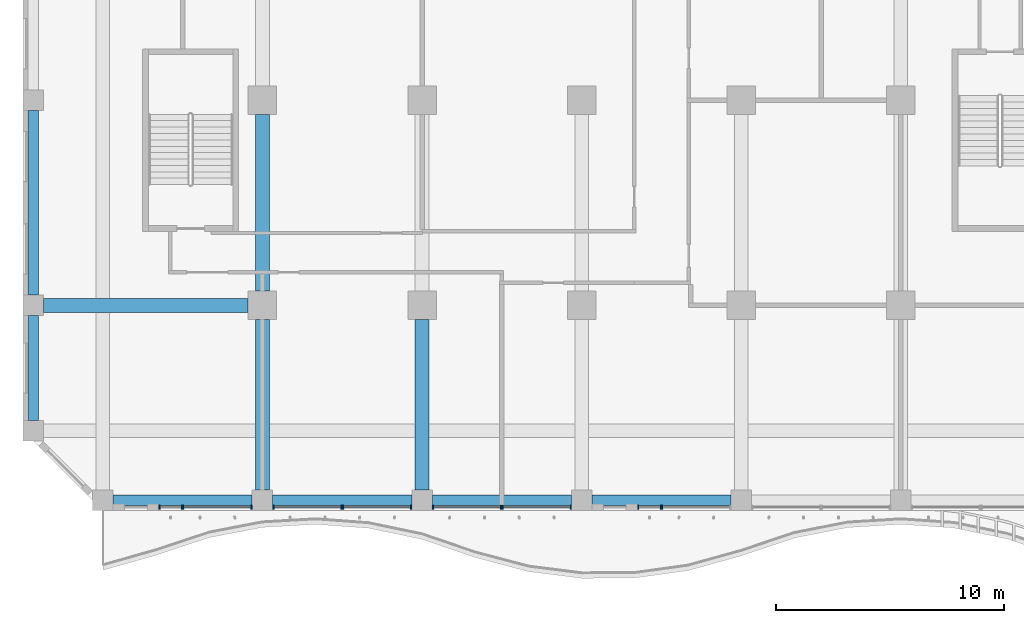
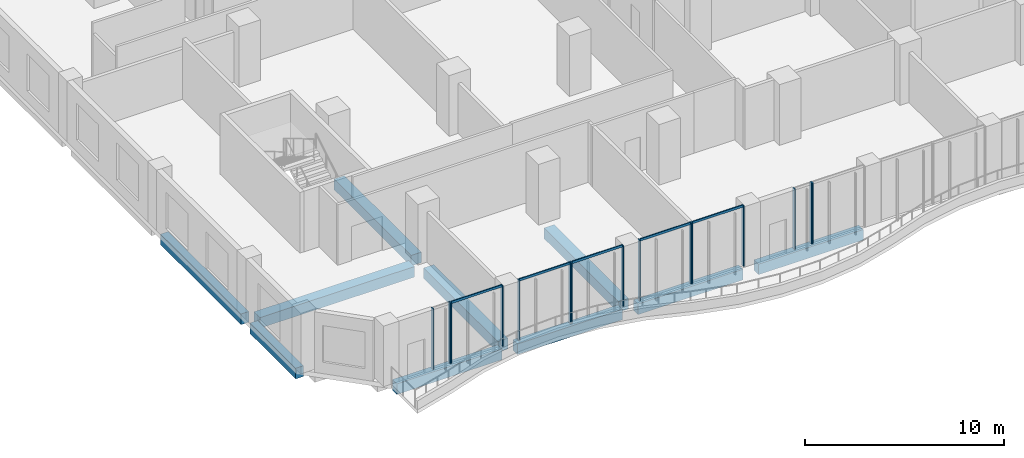
# One storey, part 2 of 28: 20 members, 10 beams, 8 elements without a shape of their own.
"""IFC4 building model written with IfcOpenShell, lengths in metres."""

from ifc_helpers import new_model, si_unit, direction, frame, origin, origin_2d, place, context, subcontext, project, spatial, rectangle, extrude, source, transform, mapped, material, material_profile, profile_set, type_object, element, aggregate, save


model = new_model("IFC4")

# Units and contexts
model_context = context("Model", 3, precision=1e-05, world=origin(), true_north=direction((0.0, 1.0)))
body_context = subcontext(model_context, "Body", "Model", "MODEL_VIEW")
ifc_project = project(units=[si_unit("LENGTHUNIT", "METRE"), si_unit("AREAUNIT", "SQUARE_METRE"), si_unit("VOLUMEUNIT", "CUBIC_METRE"), si_unit("PLANEANGLEUNIT", "RADIAN"), si_unit("MASSUNIT", "GRAM", prefix="KILO")], contexts=[model_context])

# Site, building, storey
site_placement = place(None, origin())
site = spatial("IfcSite", under=ifc_project, at=site_placement, CompositionType="ELEMENT")
building_placement = place(site_placement, origin())
building = spatial("IfcBuilding", under=site, at=building_placement, Name="Kilnfold Tower and Market Hall", CompositionType="ELEMENT")
storey_placement = place(building_placement, frame((0.0, 0.0, 87.199951171875)))
storey = spatial("IfcBuildingStorey", under=building, at=storey_placement, Name="L20", CompositionType="ELEMENT", Elevation=87.199951171875)

# Beams
ifc_material_1 = material(Name="Concrete C45", Category="concrete")
ifc_material_profile_1 = material_profile(ifc_material_1, rectangle(XDim=0.449951171875, YDim=0.64990234375, at=origin_2d()), Name="RC 450x650")
ifc_profile_set_1 = profile_set([ifc_material_profile_1], Name="Concrete C45")
beam_type_1 = type_object("IfcBeamType", Name="EDGE BEAM 450X650 C45", PredefinedType="BEAM", material=ifc_profile_set_1)
shared_shape_1 = source(origin(), body_context, "Body", "SweptSolid", [
    extrude(rectangle(XDim=0.449951171875, YDim=0.64990234375, at=origin_2d()), origin(), (0.0, 0.0, 1.0), 6.10009765625),
])
for number, where, z_axis, x_axis, name in (
    (1, (-19.050048828125, -27.550048828125, -0.60498046875), (1.0, 0.0, 0.0), (0.0, 1.0, 0.0), "Beam EB650-B2.60"),
    (2, (-12.050048828125, -27.550048828125, -0.60498046875), (1.0, 0.0, 0.0), (0.0, 1.0, 0.0), "Beam EB650-B2.61"),
    (3, (-5.050048828125, -27.550048828125, -0.60498046875), (1.0, 0.0, 0.0), (0.0, 1.0, 0.0), "Beam EB650-B2.62"),
    (4, (1.949951171875, -27.550048828125, -0.60498046875), (1.0, 0.0, 0.0), (0.0, 1.0, 0.0), "Beam EB650-B2.63"),
):
    element("IfcBeam", number, at=place(storey_placement, frame(where, z_axis=z_axis, x_axis=x_axis)), inside=storey, type_object=beam_type_1, Name=name, PredefinedType="BEAM", context=body_context, shape_type="MappedRepresentation", body=[
        mapped(shared_shape_1, transform((0.0, 0.0, 0.0))),
    ])
shared_shape_2 = source(origin(), body_context, "Body", "SweptSolid", [
    extrude(rectangle(XDim=0.449951171875, YDim=0.64990234375, at=origin_2d()), origin(), (0.0, 0.0, 1.0), 4.60009765625),
])
beam_1_placement = place(storey_placement, frame((-22.550048828125, -24.050048828125, -0.60498046875), z_axis=(0.0, 1.0, 0.0), x_axis=(-1.0, 0.0, 0.0)))
element("IfcBeam", 5, at=beam_1_placement, inside=storey, type_object=beam_type_1, Name="Beam EB650-B2.37", PredefinedType="BEAM", context=body_context, shape_type="MappedRepresentation", body=[
    mapped(shared_shape_2, transform((0.0, 0.0, 0.0))),
])
shared_shape_3 = source(origin(), body_context, "Body", "SweptSolid", [
    extrude(rectangle(XDim=0.449951171875, YDim=0.64990234375, at=origin_2d()), origin(), (0.0, 0.0, 1.0), 8.10009765625),
])
beam_2_placement = place(storey_placement, frame((-22.550048828125, -18.550048828125, -0.60498046875), z_axis=(0.0, 1.0, 0.0), x_axis=(-1.0, 0.0, 0.0)))
element("IfcBeam", 6, at=beam_2_placement, inside=storey, type_object=beam_type_1, Name="Beam EB650-B2.38", PredefinedType="BEAM", context=body_context, shape_type="MappedRepresentation", body=[
    mapped(shared_shape_3, transform((0.0, 0.0, 0.0))),
])
ifc_material_2 = material(Name="Concrete C45", Category="concrete")
ifc_material_profile_2 = material_profile(ifc_material_2, rectangle(XDim=0.60009765625, YDim=0.64990234375, at=origin_2d()), Name="RC 600x650")
ifc_profile_set_2 = profile_set([ifc_material_profile_2], Name="Concrete C45")
beam_type_2 = type_object("IfcBeamType", Name="BEAM 600X650 C45", PredefinedType="BEAM", material=ifc_profile_set_2)
shared_shape_4 = source(origin(), body_context, "Body", "SweptSolid", [
    extrude(rectangle(XDim=0.60009765625, YDim=0.64990234375, at=origin_2d()), origin(), (0.0, 0.0, 1.0), 8.97509765625),
])
beam_3_placement = place(storey_placement, frame((-22.10009765625, -19.0, -0.60498046875), z_axis=(1.0, 0.0, 0.0), x_axis=(0.0, 1.0, 0.0)))
element("IfcBeam", 7, at=beam_3_placement, inside=storey, type_object=beam_type_2, Name="Beam BB650-B2.68", PredefinedType="BEAM", context=body_context, shape_type="MappedRepresentation", body=[
    mapped(shared_shape_4, transform((0.0, 0.0, 0.0))),
])
shared_shape_5 = source(origin(), body_context, "Body", "SweptSolid", [
    extrude(rectangle(XDim=0.60009765625, YDim=0.64990234375, at=origin_2d()), origin(), (0.0, 0.0, 1.0), 7.47509765625),
])
for number, where, z_axis, x_axis, name in (
    (8, (-12.5, -27.10009765625, -0.60498046875), (0.0, 1.0, 0.0), (-1.0, 0.0, 0.0), "Beam BB650-B2.82"),
    (9, (-5.5, -27.10009765625, -0.60498046875), (0.0, 1.0, 0.0), (-1.0, 0.0, 0.0), "Beam BB650-B2.85"),
):
    element("IfcBeam", number, at=place(storey_placement, frame(where, z_axis=z_axis, x_axis=x_axis)), inside=storey, type_object=beam_type_2, Name=name, PredefinedType="BEAM", context=body_context, shape_type="MappedRepresentation", body=[
        mapped(shared_shape_5, transform((0.0, 0.0, 0.0))),
    ])
shared_shape_6 = source(origin(), body_context, "Body", "SweptSolid", [
    extrude(rectangle(XDim=0.60009765625, YDim=0.64990234375, at=origin_2d()), origin(), (0.0, 0.0, 1.0), 7.75),
])
beam_4_placement = place(storey_placement, frame((-12.5, -18.375, -0.60498046875), z_axis=(0.0, 1.0, 0.0), x_axis=(-1.0, 0.0, 0.0)))
element("IfcBeam", 10, at=beam_4_placement, inside=storey, type_object=beam_type_2, Name="Beam BB650-B2.83", PredefinedType="BEAM", context=body_context, shape_type="MappedRepresentation", body=[
    mapped(shared_shape_6, transform((0.0, 0.0, 0.0))),
])

# Curtain wall, members
ifc_material_3 = material(Name="Aluminium and double glazing", Category="aluminium")
curtain_wall_type = type_object("IfcCurtainWallType", Name="CW OF1 VALLEY GLAZING", PredefinedType="NOTDEFINED", material=ifc_material_3)
curtain_wall_1_placement = place(storey_placement, origin())
curtain_wall_1 = element("IfcCurtainWall", 11, at=curtain_wall_1_placement, inside=storey, type_object=curtain_wall_type, Name="Curtain wall CW1 L20 S", PredefinedType="NOTDEFINED")
ifc_material_4 = material(Name="Aluminium", Category="aluminium")
ifc_material_profile_3 = material_profile(ifc_material_4, rectangle(XDim=0.06005859375, YDim=0.179931640625, at=origin_2d()), Name="MULLION 60x180")
ifc_profile_set_3 = profile_set([ifc_material_profile_3], Name="Aluminium")
member_type_1 = type_object("IfcMemberType", Name="MULLION 60X180", PredefinedType="MULLION", material=ifc_profile_set_3)
shared_shape_7 = source(origin(), body_context, "Body", "SweptSolid", [
    extrude(rectangle(XDim=0.06005859375, YDim=0.179931640625, at=origin_2d()), origin(), (0.0, 0.0, 1.0), 3.719970703125),
])
member_1_placement = place(storey_placement, frame((-17.02001953125, -27.85009765625, 0.0), z_axis=(0.0, 0.0, 1.0), x_axis=(1.0, 0.0, 0.0)))
member_1 = element("IfcMember", 12, at=member_1_placement, type_object=member_type_1, Name="CW1 mullion 1", PredefinedType="MULLION", context=body_context, shape_type="MappedRepresentation", body=[
    mapped(shared_shape_7, transform((0.0, 0.0, 0.0))),
])
member_2_placement = place(storey_placement, frame((-16.030029296875, -27.85009765625, 0.0), z_axis=(0.0, 0.0, 1.0), x_axis=(1.0, 0.0, 0.0)))
member_2 = element("IfcMember", 13, at=member_2_placement, type_object=member_type_1, Name="CW1 mullion 2", PredefinedType="MULLION", context=body_context, shape_type="MappedRepresentation", body=[
    mapped(shared_shape_7, transform((0.0, 0.0, 0.0))),
])
aggregate(curtain_wall_1, [member_1, member_2])

curtain_wall_2_placement = place(storey_placement, origin())
curtain_wall_2 = element("IfcCurtainWall", 14, at=curtain_wall_2_placement, inside=storey, type_object=curtain_wall_type, Name="Curtain wall CW1 L20 S", PredefinedType="NOTDEFINED")
member_3_placement = place(storey_placement, frame((-15.969970703125, -27.85009765625, 0.0), z_axis=(0.0, 0.0, 1.0), x_axis=(1.0, 0.0, 0.0)))
member_3 = element("IfcMember", 15, at=member_3_placement, type_object=member_type_1, Name="CW1 mullion 1", PredefinedType="MULLION", context=body_context, shape_type="MappedRepresentation", body=[
    mapped(shared_shape_7, transform((0.0, 0.0, 0.0))),
])
member_4_placement = place(storey_placement, frame((-12.97998046875, -27.85009765625, 0.0), z_axis=(0.0, 0.0, 1.0), x_axis=(1.0, 0.0, 0.0)))
member_4 = element("IfcMember", 16, at=member_4_placement, type_object=member_type_1, Name="CW1 mullion 2", PredefinedType="MULLION", context=body_context, shape_type="MappedRepresentation", body=[
    mapped(shared_shape_7, transform((0.0, 0.0, 0.0))),
])

curtain_wall_3_placement = place(storey_placement, origin())
curtain_wall_3 = element("IfcCurtainWall", 17, at=curtain_wall_3_placement, inside=storey, type_object=curtain_wall_type, Name="Curtain wall CW1 L20 S", PredefinedType="NOTDEFINED")
member_5_placement = place(storey_placement, frame((-12.02001953125, -27.85009765625, 0.0), z_axis=(0.0, 0.0, 1.0), x_axis=(1.0, 0.0, 0.0)))
member_5 = element("IfcMember", 18, at=member_5_placement, type_object=member_type_1, Name="CW1 mullion 1", PredefinedType="MULLION", context=body_context, shape_type="MappedRepresentation", body=[
    mapped(shared_shape_7, transform((0.0, 0.0, 0.0))),
])
member_6_placement = place(storey_placement, frame((-9.030029296875, -27.85009765625, 0.0), z_axis=(0.0, 0.0, 1.0), x_axis=(1.0, 0.0, 0.0)))
member_6 = element("IfcMember", 19, at=member_6_placement, type_object=member_type_1, Name="CW1 mullion 2", PredefinedType="MULLION", context=body_context, shape_type="MappedRepresentation", body=[
    mapped(shared_shape_7, transform((0.0, 0.0, 0.0))),
])

curtain_wall_4_placement = place(storey_placement, origin())
curtain_wall_4 = element("IfcCurtainWall", 20, at=curtain_wall_4_placement, inside=storey, type_object=curtain_wall_type, Name="Curtain wall CW1 L20 S", PredefinedType="NOTDEFINED")
member_7_placement = place(storey_placement, frame((-8.969970703125, -27.85009765625, 0.0), z_axis=(0.0, 0.0, 1.0), x_axis=(1.0, 0.0, 0.0)))
member_7 = element("IfcMember", 21, at=member_7_placement, type_object=member_type_1, Name="CW1 mullion 1", PredefinedType="MULLION", context=body_context, shape_type="MappedRepresentation", body=[
    mapped(shared_shape_7, transform((0.0, 0.0, 0.0))),
])
member_8_placement = place(storey_placement, frame((-5.97998046875, -27.85009765625, 0.0), z_axis=(0.0, 0.0, 1.0), x_axis=(1.0, 0.0, 0.0)))
member_8 = element("IfcMember", 22, at=member_8_placement, type_object=member_type_1, Name="CW1 mullion 2", PredefinedType="MULLION", context=body_context, shape_type="MappedRepresentation", body=[
    mapped(shared_shape_7, transform((0.0, 0.0, 0.0))),
])

curtain_wall_5_placement = place(storey_placement, origin())
curtain_wall_5 = element("IfcCurtainWall", 23, at=curtain_wall_5_placement, inside=storey, type_object=curtain_wall_type, Name="Curtain wall CW1 L20 S", PredefinedType="NOTDEFINED")
member_9_placement = place(storey_placement, frame((-5.02001953125, -27.85009765625, 0.0), z_axis=(0.0, 0.0, 1.0), x_axis=(1.0, 0.0, 0.0)))
member_9 = element("IfcMember", 24, at=member_9_placement, type_object=member_type_1, Name="CW1 mullion 1", PredefinedType="MULLION", context=body_context, shape_type="MappedRepresentation", body=[
    mapped(shared_shape_7, transform((0.0, 0.0, 0.0))),
])
member_10_placement = place(storey_placement, frame((-2.030029296875, -27.85009765625, 0.0), z_axis=(0.0, 0.0, 1.0), x_axis=(1.0, 0.0, 0.0)))
member_10 = element("IfcMember", 25, at=member_10_placement, type_object=member_type_1, Name="CW1 mullion 2", PredefinedType="MULLION", context=body_context, shape_type="MappedRepresentation", body=[
    mapped(shared_shape_7, transform((0.0, 0.0, 0.0))),
])

curtain_wall_6_placement = place(storey_placement, origin())
curtain_wall_6 = element("IfcCurtainWall", 26, at=curtain_wall_6_placement, inside=storey, type_object=curtain_wall_type, Name="Curtain wall CW1 L20 S", PredefinedType="NOTDEFINED")
member_11_placement = place(storey_placement, frame((-1.969970703125, -27.85009765625, 0.0), z_axis=(0.0, 0.0, 1.0), x_axis=(1.0, 0.0, 0.0)))
member_11 = element("IfcMember", 27, at=member_11_placement, type_object=member_type_1, Name="CW1 mullion 1", PredefinedType="MULLION", context=body_context, shape_type="MappedRepresentation", body=[
    mapped(shared_shape_7, transform((0.0, 0.0, 0.0))),
])
member_12_placement = place(storey_placement, frame((1.02001953125, -27.85009765625, 0.0), z_axis=(0.0, 0.0, 1.0), x_axis=(1.0, 0.0, 0.0)))
member_12 = element("IfcMember", 28, at=member_12_placement, type_object=member_type_1, Name="CW1 mullion 2", PredefinedType="MULLION", context=body_context, shape_type="MappedRepresentation", body=[
    mapped(shared_shape_7, transform((0.0, 0.0, 0.0))),
])

curtain_wall_7_placement = place(storey_placement, origin())
curtain_wall_7 = element("IfcCurtainWall", 29, at=curtain_wall_7_placement, inside=storey, type_object=curtain_wall_type, Name="Curtain wall CW1 L20 S", PredefinedType="NOTDEFINED")
member_13_placement = place(storey_placement, frame((3.97998046875, -27.85009765625, 0.0), z_axis=(0.0, 0.0, 1.0), x_axis=(1.0, 0.0, 0.0)))
member_13 = element("IfcMember", 30, at=member_13_placement, type_object=member_type_1, Name="CW1 mullion 1", PredefinedType="MULLION", context=body_context, shape_type="MappedRepresentation", body=[
    mapped(shared_shape_7, transform((0.0, 0.0, 0.0))),
])
member_14_placement = place(storey_placement, frame((4.969970703125, -27.85009765625, 0.0), z_axis=(0.0, 0.0, 1.0), x_axis=(1.0, 0.0, 0.0)))
member_14 = element("IfcMember", 31, at=member_14_placement, type_object=member_type_1, Name="CW1 mullion 2", PredefinedType="MULLION", context=body_context, shape_type="MappedRepresentation", body=[
    mapped(shared_shape_7, transform((0.0, 0.0, 0.0))),
])
aggregate(curtain_wall_7, [member_13, member_14])

# Curtain wall, member
curtain_wall_8_placement = place(storey_placement, origin())
curtain_wall_8 = element("IfcCurtainWall", 32, at=curtain_wall_8_placement, inside=storey, type_object=curtain_wall_type, Name="Curtain wall CW1 L20 S", PredefinedType="NOTDEFINED")
member_15_placement = place(storey_placement, frame((5.030029296875, -27.85009765625, 0.0), z_axis=(0.0, 0.0, 1.0), x_axis=(1.0, 0.0, 0.0)))
member_15 = element("IfcMember", 33, at=member_15_placement, type_object=member_type_1, Name="CW1 mullion 1", PredefinedType="MULLION", context=body_context, shape_type="MappedRepresentation", body=[
    mapped(shared_shape_7, transform((0.0, 0.0, 0.0))),
])
aggregate(curtain_wall_8, [member_15])

# Member
ifc_material_5 = material(Name="Aluminium", Category="aluminium")
ifc_material_profile_4 = material_profile(ifc_material_5, rectangle(XDim=0.06005859375, YDim=0.139892578125, at=origin_2d()), Name="TRANSOM 60x140")
ifc_profile_set_4 = profile_set([ifc_material_profile_4], Name="Aluminium")
member_type_2 = type_object("IfcMemberType", Name="TRANSOM 60X140", PredefinedType="USERDEFINED", material=ifc_profile_set_4)
shared_shape_8 = source(origin(), body_context, "Body", "SweptSolid", [
    extrude(rectangle(XDim=0.06005859375, YDim=0.139892578125, at=origin_2d()), origin(), (0.0, 0.0, 1.0), 2.929931640625),
])
member_16_placement = place(storey_placement, frame((-15.93994140625, -27.85009765625, 3.68994140625), z_axis=(1.0, 0.0, 0.0), x_axis=(0.0, 1.0, 0.0)))
member_16 = element("IfcMember", 34, at=member_16_placement, type_object=member_type_2, Name="CW1 transom 1.2", ObjectType="TRANSOM", PredefinedType="USERDEFINED", context=body_context, shape_type="MappedRepresentation", body=[
    mapped(shared_shape_8, transform((0.0, 0.0, 0.0))),
])

aggregate(curtain_wall_2, [member_3, member_4, member_16])

member_17_placement = place(storey_placement, frame((-11.989990234375, -27.85009765625, 3.68994140625), z_axis=(1.0, 0.0, 0.0), x_axis=(0.0, 1.0, 0.0)))
member_17 = element("IfcMember", 35, at=member_17_placement, type_object=member_type_2, Name="CW1 transom 1.2", ObjectType="TRANSOM", PredefinedType="USERDEFINED", context=body_context, shape_type="MappedRepresentation", body=[
    mapped(shared_shape_8, transform((0.0, 0.0, 0.0))),
])

aggregate(curtain_wall_3, [member_5, member_6, member_17])

member_18_placement = place(storey_placement, frame((-8.93994140625, -27.85009765625, 3.68994140625), z_axis=(1.0, 0.0, 0.0), x_axis=(0.0, 1.0, 0.0)))
member_18 = element("IfcMember", 36, at=member_18_placement, type_object=member_type_2, Name="CW1 transom 1.2", ObjectType="TRANSOM", PredefinedType="USERDEFINED", context=body_context, shape_type="MappedRepresentation", body=[
    mapped(shared_shape_8, transform((0.0, 0.0, 0.0))),
])

aggregate(curtain_wall_4, [member_7, member_8, member_18])

member_19_placement = place(storey_placement, frame((-4.989990234375, -27.85009765625, 3.68994140625), z_axis=(1.0, 0.0, 0.0), x_axis=(0.0, 1.0, 0.0)))
member_19 = element("IfcMember", 37, at=member_19_placement, type_object=member_type_2, Name="CW1 transom 1.2", ObjectType="TRANSOM", PredefinedType="USERDEFINED", context=body_context, shape_type="MappedRepresentation", body=[
    mapped(shared_shape_8, transform((0.0, 0.0, 0.0))),
])

aggregate(curtain_wall_5, [member_9, member_10, member_19])

member_20_placement = place(storey_placement, frame((-1.93994140625, -27.85009765625, 3.68994140625), z_axis=(1.0, 0.0, 0.0), x_axis=(0.0, 1.0, 0.0)))
member_20 = element("IfcMember", 38, at=member_20_placement, type_object=member_type_2, Name="CW1 transom 1.2", ObjectType="TRANSOM", PredefinedType="USERDEFINED", context=body_context, shape_type="MappedRepresentation", body=[
    mapped(shared_shape_8, transform((0.0, 0.0, 0.0))),
])

aggregate(curtain_wall_6, [member_11, member_12, member_20])

save(model, "model.ifc")
